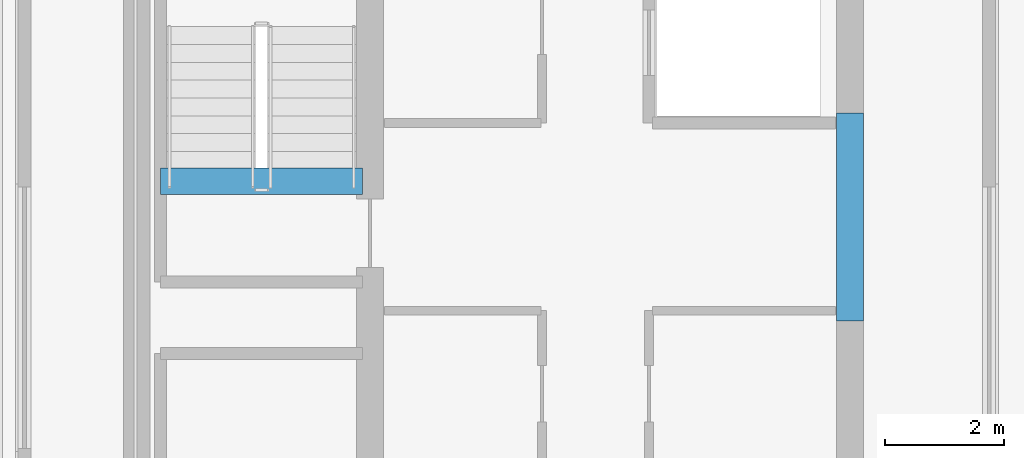
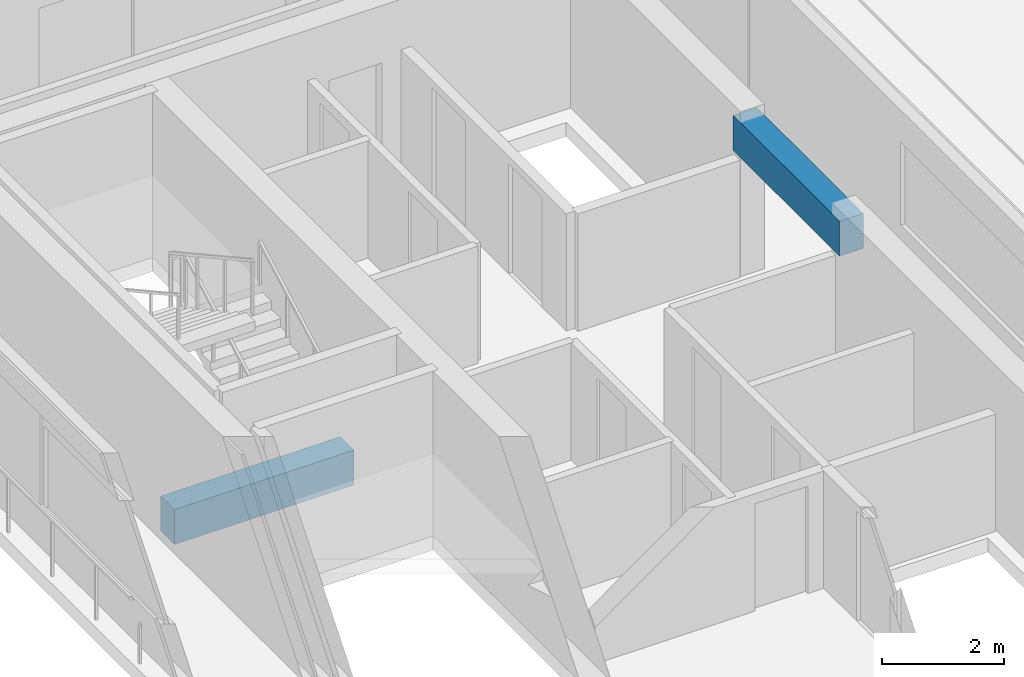
# One storey, part 4 of 30: 2 beams.
"""IFC4 building model written with IfcOpenShell, lengths in metres."""

from ifc_helpers import new_model, si_unit, direction, frame, origin, origin_2d, place, context, subcontext, project, spatial, rectangle, extrude, material, material_profile, profile_set, type_object, element, save


model = new_model("IFC4")

# Units and contexts
model_context = context("Model", 3, precision=1e-05, world=origin(), true_north=direction((0.0, 1.0)))
body_context = subcontext(model_context, "Body", "Model", "MODEL_VIEW")
ifc_project = project(units=[si_unit("LENGTHUNIT", "METRE"), si_unit("AREAUNIT", "SQUARE_METRE"), si_unit("VOLUMEUNIT", "CUBIC_METRE"), si_unit("PLANEANGLEUNIT", "RADIAN"), si_unit("MASSUNIT", "GRAM", prefix="KILO")], contexts=[model_context])

# Site, building, storey
site_placement = place(None, origin())
site = spatial("IfcSite", under=ifc_project, at=site_placement, CompositionType="ELEMENT")
building_placement = place(site_placement, origin())
building = spatial("IfcBuilding", under=site, at=building_placement, Name="Tanjung Sevakor Pilgrim Tower", CompositionType="ELEMENT")
storey_placement = place(building_placement, frame((0.0, 0.0, 229.35009765625)))
storey = spatial("IfcBuildingStorey", under=building, at=storey_placement, Name="L64", CompositionType="ELEMENT", Elevation=229.35009765625)

# Beams
ifc_material = material(Name="Concrete C60/75", Category="concrete")
ifc_material_profile = material_profile(ifc_material, rectangle(XDim=0.449951171875, YDim=0.699951171875, at=origin_2d()))
ifc_profile_set = profile_set([ifc_material_profile], Name="Concrete C60/75")
beam_type = type_object("IfcBeamType", Name="BM-B-LN3-RC-BM_450x700", PredefinedType="LINTEL", material=ifc_profile_set)
beam_1_placement = place(storey_placement, frame((36.0, 33.550048828125, 2.72998046875), z_axis=(0.0, 1.0, 0.0), x_axis=(-1.0, 0.0, 0.0)))
element("IfcBeam", 1, at=beam_1_placement, inside=storey, type_object=beam_type, Name="L64 W Core Coupling Lintel", PredefinedType="LINTEL", context=body_context, shape_type="SweptSolid", body=[
    extrude(rectangle(XDim=0.449951171875, YDim=0.699951171875, at=origin_2d()), origin(), (0.0, 0.0, 1.0), 3.5),
])
beam_2_placement = place(storey_placement, frame((24.39990234375, 35.89990234375, -0.35009765625), z_axis=(1.0, 0.0, 0.0), x_axis=(0.0, 1.0, 0.0)))
element("IfcBeam", 2, at=beam_2_placement, inside=storey, type_object=beam_type, Name="L64 TS-W2 Stair Threshold Beam", PredefinedType="LINTEL", context=body_context, shape_type="SweptSolid", body=[
    extrude(rectangle(XDim=0.449951171875, YDim=0.699951171875, at=origin_2d()), origin(), (0.0, 0.0, 1.0), 3.400146484375),
])

save(model, "model.ifc")
